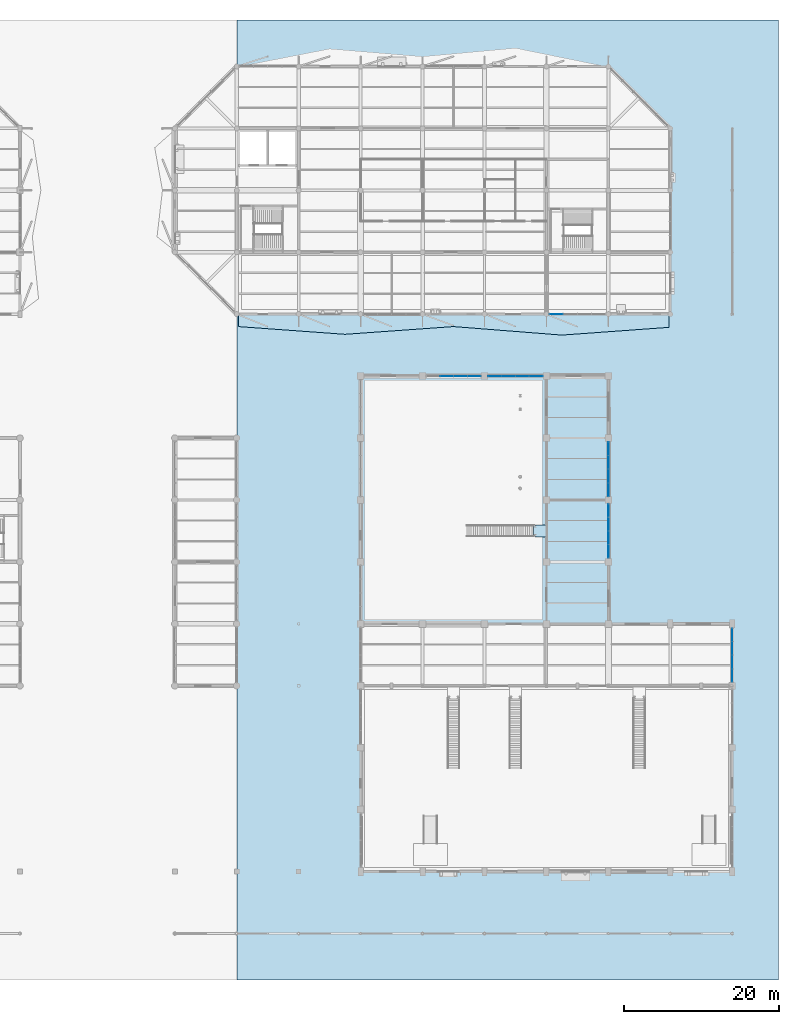
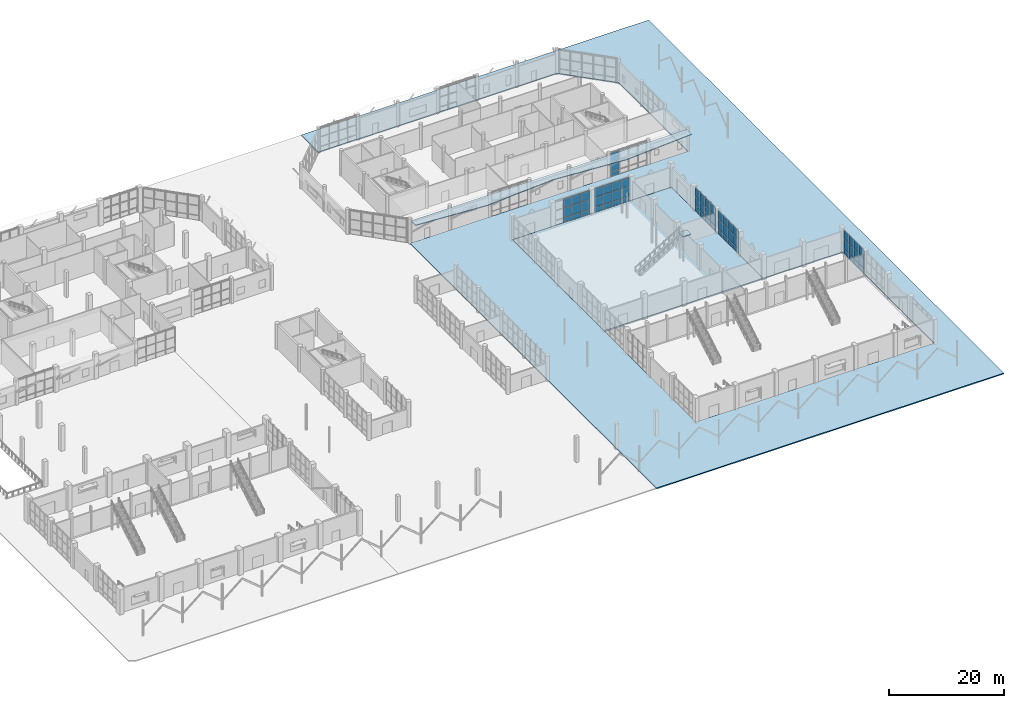
# One storey, part 91 of 123: 60 plates, 4 slabs, 7 elements without a shape of their own.
"""IFC4 building model written with IfcOpenShell, lengths in metres."""

from ifc_helpers import new_model, si_unit, direction, frame, origin, origin_2d, place, context, subcontext, project, spatial, polyline, rectangle, outline, extrude, material, layer, layer_set, type_object, element, aggregate, save


model = new_model("IFC4")

# Units and contexts
model_context = context("Model", 3, precision=1e-05, world=origin(), true_north=direction((0.0, 1.0)))
body_context = subcontext(model_context, "Body", "Model", "MODEL_VIEW")
ifc_project = project(units=[si_unit("LENGTHUNIT", "METRE"), si_unit("AREAUNIT", "SQUARE_METRE"), si_unit("VOLUMEUNIT", "CUBIC_METRE"), si_unit("PLANEANGLEUNIT", "RADIAN"), si_unit("MASSUNIT", "GRAM", prefix="KILO")], contexts=[model_context])

# Site, building, storey
site_placement = place(None, origin())
site = spatial("IfcSite", under=ifc_project, at=site_placement, CompositionType="ELEMENT")
building_placement = place(site_placement, origin())
building = spatial("IfcBuilding", under=site, at=building_placement, Name="Tenunan Teduh Sports Hall", CompositionType="ELEMENT")
storey_placement = place(building_placement, origin())
storey = spatial("IfcBuildingStorey", under=building, at=storey_placement, Name="L00", CompositionType="ELEMENT", Elevation=0.0)

# Curtain wall, plates
ifc_material_1 = material(Name="Anodised aluminium", Category="aluminium")
curtain_wall_type = type_object("IfcCurtainWallType", Name="CW-UNIT-1", PredefinedType="NOTDEFINED", material=ifc_material_1)
curtain_wall_1_placement = place(storey_placement, origin())
curtain_wall_1 = element("IfcCurtainWall", 1, at=curtain_wall_1_placement, inside=storey, type_object=curtain_wall_type, Name="CW-CWM-175-L00-006", PredefinedType="NOTDEFINED")
ifc_material_2 = material(Name="Low-E laminated double glazing", Category="glass")
ifc_layer_1 = layer(ifc_material_2, 0.028076171875)
ifc_layer_set_1 = layer_set([ifc_layer_1], Name="Low-E laminated double glazing")
plate_type_1 = type_object("IfcPlateType", Name="CWP-GLZ-28", PredefinedType="CURTAIN_PANEL", material=ifc_layer_set_1)
plate_1_placement = place(storey_placement, frame((170.0, 39.34130859375, 1.13232421875), z_axis=(0.0, 0.0, 1.0), x_axis=(0.0, 1.0, 0.0)))
plate_1 = element("IfcPlate", 2, at=plate_1_placement, type_object=plate_type_1, Name="CW-01 panel 1.2", PredefinedType="CURTAIN_PANEL", context=body_context, shape_type="SweptSolid", body=[
    extrude(rectangle(XDim=1.652587890625, YDim=0.028076171875, at=origin_2d()), origin(), (0.0, 0.0, 1.0), 2.034912109375),
])
plate_2_placement = place(storey_placement, frame((170.0, 39.34130859375, 3.232421875), z_axis=(0.0, 0.0, 1.0), x_axis=(0.0, 1.0, 0.0)))
plate_2 = element("IfcPlate", 3, at=plate_2_placement, type_object=plate_type_1, Name="CW-01 panel 1.3", PredefinedType="CURTAIN_PANEL", context=body_context, shape_type="SweptSolid", body=[
    extrude(rectangle(XDim=1.652587890625, YDim=0.028076171875, at=origin_2d()), origin(), (0.0, 0.0, 1.0), 1.822509765625),
])
plate_3_placement = place(storey_placement, frame((170.0, 41.074951171875, 1.13232421875), z_axis=(0.0, 0.0, 1.0), x_axis=(0.0, 1.0, 0.0)))
plate_3 = element("IfcPlate", 4, at=plate_3_placement, type_object=plate_type_1, Name="CW-01 panel 2.2", PredefinedType="CURTAIN_PANEL", context=body_context, shape_type="SweptSolid", body=[
    extrude(rectangle(XDim=1.68505859375, YDim=0.028076171875, at=origin_2d()), origin(), (0.0, 0.0, 1.0), 2.034912109375),
])
plate_4_placement = place(storey_placement, frame((170.0, 41.074951171875, 3.232421875), z_axis=(0.0, 0.0, 1.0), x_axis=(0.0, 1.0, 0.0)))
plate_4 = element("IfcPlate", 5, at=plate_4_placement, type_object=plate_type_1, Name="CW-01 panel 2.3", PredefinedType="CURTAIN_PANEL", context=body_context, shape_type="SweptSolid", body=[
    extrude(rectangle(XDim=1.68505859375, YDim=0.028076171875, at=origin_2d()), origin(), (0.0, 0.0, 1.0), 1.822509765625),
])
plate_5_placement = place(storey_placement, frame((170.0, 42.824951171875, 1.13232421875), z_axis=(0.0, 0.0, 1.0), x_axis=(0.0, 1.0, 0.0)))
plate_5 = element("IfcPlate", 6, at=plate_5_placement, type_object=plate_type_1, Name="CW-01 panel 3.2", PredefinedType="CURTAIN_PANEL", context=body_context, shape_type="SweptSolid", body=[
    extrude(rectangle(XDim=1.68505859375, YDim=0.028076171875, at=origin_2d()), origin(), (0.0, 0.0, 1.0), 2.034912109375),
])
plate_6_placement = place(storey_placement, frame((170.0, 42.824951171875, 3.232421875), z_axis=(0.0, 0.0, 1.0), x_axis=(0.0, 1.0, 0.0)))
plate_6 = element("IfcPlate", 7, at=plate_6_placement, type_object=plate_type_1, Name="CW-01 panel 3.3", PredefinedType="CURTAIN_PANEL", context=body_context, shape_type="SweptSolid", body=[
    extrude(rectangle(XDim=1.68505859375, YDim=0.028076171875, at=origin_2d()), origin(), (0.0, 0.0, 1.0), 1.822509765625),
])
plate_7_placement = place(storey_placement, frame((170.0, 44.558837890625, 1.13232421875), z_axis=(0.0, 0.0, 1.0), x_axis=(0.0, 1.0, 0.0)))
plate_7 = element("IfcPlate", 8, at=plate_7_placement, type_object=plate_type_1, Name="CW-01 panel 4.2", PredefinedType="CURTAIN_PANEL", context=body_context, shape_type="SweptSolid", body=[
    extrude(rectangle(XDim=1.652587890625, YDim=0.028076171875, at=origin_2d()), origin(), (0.0, 0.0, 1.0), 2.034912109375),
])
plate_8_placement = place(storey_placement, frame((170.0, 44.558837890625, 3.232421875), z_axis=(0.0, 0.0, 1.0), x_axis=(0.0, 1.0, 0.0)))
plate_8 = element("IfcPlate", 9, at=plate_8_placement, type_object=plate_type_1, Name="CW-01 panel 4.3", PredefinedType="CURTAIN_PANEL", context=body_context, shape_type="SweptSolid", body=[
    extrude(rectangle(XDim=1.652587890625, YDim=0.028076171875, at=origin_2d()), origin(), (0.0, 0.0, 1.0), 1.822509765625),
])

curtain_wall_2_placement = place(storey_placement, origin())
curtain_wall_2 = element("IfcCurtainWall", 10, at=curtain_wall_2_placement, inside=storey, type_object=curtain_wall_type, Name="CW-CWM-175-L00-110", PredefinedType="NOTDEFINED")
plate_9_placement = place(storey_placement, frame((133.112548828125, 78.0, 1.13232421875), z_axis=(0.0, 0.0, 1.0), x_axis=(1.0, 0.0, 0.0)))
plate_9 = element("IfcPlate", 11, at=plate_9_placement, type_object=plate_type_1, Name="CW-01 panel 2.2", PredefinedType="CURTAIN_PANEL", context=body_context, shape_type="SweptSolid", body=[
    extrude(rectangle(XDim=1.7099609375, YDim=0.028076171875, at=origin_2d()), origin(), (0.0, 0.0, 1.0), 2.034912109375),
])
plate_10_placement = place(storey_placement, frame((133.112548828125, 78.0, 3.232421875), z_axis=(0.0, 0.0, 1.0), x_axis=(1.0, 0.0, 0.0)))
plate_10 = element("IfcPlate", 12, at=plate_10_placement, type_object=plate_type_1, Name="CW-01 panel 2.3", PredefinedType="CURTAIN_PANEL", context=body_context, shape_type="SweptSolid", body=[
    extrude(rectangle(XDim=1.7099609375, YDim=0.028076171875, at=origin_2d()), origin(), (0.0, 0.0, 1.0), 1.822509765625),
])
plate_11_placement = place(storey_placement, frame((134.887451171875, 78.0, 1.13232421875), z_axis=(0.0, 0.0, 1.0), x_axis=(1.0, 0.0, 0.0)))
plate_11 = element("IfcPlate", 13, at=plate_11_placement, type_object=plate_type_1, Name="CW-01 panel 3.2", PredefinedType="CURTAIN_PANEL", context=body_context, shape_type="SweptSolid", body=[
    extrude(rectangle(XDim=1.7099609375, YDim=0.028076171875, at=origin_2d()), origin(), (0.0, 0.0, 1.0), 2.034912109375),
])
plate_12_placement = place(storey_placement, frame((134.887451171875, 78.0, 3.232421875), z_axis=(0.0, 0.0, 1.0), x_axis=(1.0, 0.0, 0.0)))
plate_12 = element("IfcPlate", 14, at=plate_12_placement, type_object=plate_type_1, Name="CW-01 panel 3.3", PredefinedType="CURTAIN_PANEL", context=body_context, shape_type="SweptSolid", body=[
    extrude(rectangle(XDim=1.7099609375, YDim=0.028076171875, at=origin_2d()), origin(), (0.0, 0.0, 1.0), 1.822509765625),
])
plate_13_placement = place(storey_placement, frame((136.646240234375, 78.0, 1.13232421875), z_axis=(0.0, 0.0, 1.0), x_axis=(1.0, 0.0, 0.0)))
plate_13 = element("IfcPlate", 15, at=plate_13_placement, type_object=plate_type_1, Name="CW-01 panel 4.2", PredefinedType="CURTAIN_PANEL", context=body_context, shape_type="SweptSolid", body=[
    extrude(rectangle(XDim=1.677490234375, YDim=0.028076171875, at=origin_2d()), origin(), (0.0, 0.0, 1.0), 2.034912109375),
])
plate_14_placement = place(storey_placement, frame((136.646240234375, 78.0, 3.232421875), z_axis=(0.0, 0.0, 1.0), x_axis=(1.0, 0.0, 0.0)))
plate_14 = element("IfcPlate", 16, at=plate_14_placement, type_object=plate_type_1, Name="CW-01 panel 4.3", PredefinedType="CURTAIN_PANEL", context=body_context, shape_type="SweptSolid", body=[
    extrude(rectangle(XDim=1.677490234375, YDim=0.028076171875, at=origin_2d()), origin(), (0.0, 0.0, 1.0), 1.822509765625),
])

curtain_wall_3_placement = place(storey_placement, origin())
curtain_wall_3 = element("IfcCurtainWall", 17, at=curtain_wall_3_placement, inside=storey, type_object=curtain_wall_type, Name="CW-CWM-200-L00-236", PredefinedType="NOTDEFINED")
plate_15_placement = place(storey_placement, frame((147.26123046875, 86.0, 1.134765625), z_axis=(0.0, 0.0, 1.0), x_axis=(1.0, 0.0, 0.0)))
plate_15 = element("IfcPlate", 18, at=plate_15_placement, type_object=plate_type_1, Name="CW-01 panel 1.2", PredefinedType="CURTAIN_PANEL", context=body_context, shape_type="SweptSolid", body=[
    extrude(rectangle(XDim=1.732421875, YDim=0.028076171875, at=origin_2d()), origin(), (0.0, 0.0, 1.0), 2.030029296875),
])
plate_16_placement = place(storey_placement, frame((147.26123046875, 86.0, 3.235107421875), z_axis=(0.0, 0.0, 1.0), x_axis=(1.0, 0.0, 0.0)))
plate_16 = element("IfcPlate", 19, at=plate_16_placement, type_object=plate_type_1, Name="CW-01 panel 1.3", PredefinedType="CURTAIN_PANEL", context=body_context, shape_type="SweptSolid", body=[
    extrude(rectangle(XDim=1.732421875, YDim=0.028076171875, at=origin_2d()), origin(), (0.0, 0.0, 1.0), 1.81494140625),
])

curtain_wall_4_placement = place(storey_placement, origin())
curtain_wall_4 = element("IfcCurtainWall", 20, at=curtain_wall_4_placement, inside=storey, type_object=curtain_wall_type, Name="CW-CWM-150-L00-111", PredefinedType="NOTDEFINED")
ifc_material_3 = material(Name="Solar-control laminated glazing", Category="glass")
ifc_layer_2 = layer(ifc_material_3, 0.031982421875)
ifc_layer_set_2 = layer_set([ifc_layer_2], Name="Solar-control laminated glazing")
plate_type_2 = type_object("IfcPlateType", Name="CWP-GLZ-32", PredefinedType="CURTAIN_PANEL", material=ifc_layer_set_2)
plate_17_placement = place(storey_placement, frame((139.3525390625, 78.0, 1.1298828125), z_axis=(0.0, 0.0, 1.0), x_axis=(1.0, 0.0, 0.0)))
plate_17 = element("IfcPlate", 21, at=plate_17_placement, type_object=plate_type_2, Name="CW-01 panel 1.2", PredefinedType="CURTAIN_PANEL", context=body_context, shape_type="SweptSolid", body=[
    extrude(rectangle(XDim=1.68505859375, YDim=0.031982421875, at=origin_2d()), origin(), (0.0, 0.0, 1.0), 2.0400390625),
])
plate_18_placement = place(storey_placement, frame((139.3525390625, 78.0, 3.22998046875), z_axis=(0.0, 0.0, 1.0), x_axis=(1.0, 0.0, 0.0)))
plate_18 = element("IfcPlate", 22, at=plate_18_placement, type_object=plate_type_2, Name="CW-01 panel 1.3", PredefinedType="CURTAIN_PANEL", context=body_context, shape_type="SweptSolid", body=[
    extrude(rectangle(XDim=1.68505859375, YDim=0.031982421875, at=origin_2d()), origin(), (0.0, 0.0, 1.0), 1.830078125),
])
plate_19_placement = place(storey_placement, frame((141.112548828125, 78.0, 1.1298828125), z_axis=(0.0, 0.0, 1.0), x_axis=(1.0, 0.0, 0.0)))
plate_19 = element("IfcPlate", 23, at=plate_19_placement, type_object=plate_type_2, Name="CW-01 panel 2.2", PredefinedType="CURTAIN_PANEL", context=body_context, shape_type="SweptSolid", body=[
    extrude(rectangle(XDim=1.715087890625, YDim=0.031982421875, at=origin_2d()), origin(), (0.0, 0.0, 1.0), 2.0400390625),
])
plate_20_placement = place(storey_placement, frame((141.112548828125, 78.0, 3.22998046875), z_axis=(0.0, 0.0, 1.0), x_axis=(1.0, 0.0, 0.0)))
plate_20 = element("IfcPlate", 24, at=plate_20_placement, type_object=plate_type_2, Name="CW-01 panel 2.3", PredefinedType="CURTAIN_PANEL", context=body_context, shape_type="SweptSolid", body=[
    extrude(rectangle(XDim=1.715087890625, YDim=0.031982421875, at=origin_2d()), origin(), (0.0, 0.0, 1.0), 1.830078125),
])
plate_21_placement = place(storey_placement, frame((142.887451171875, 78.0, 1.1298828125), z_axis=(0.0, 0.0, 1.0), x_axis=(1.0, 0.0, 0.0)))
plate_21 = element("IfcPlate", 25, at=plate_21_placement, type_object=plate_type_2, Name="CW-01 panel 3.2", PredefinedType="CURTAIN_PANEL", context=body_context, shape_type="SweptSolid", body=[
    extrude(rectangle(XDim=1.715087890625, YDim=0.031982421875, at=origin_2d()), origin(), (0.0, 0.0, 1.0), 2.0400390625),
])
plate_22_placement = place(storey_placement, frame((142.887451171875, 78.0, 3.22998046875), z_axis=(0.0, 0.0, 1.0), x_axis=(1.0, 0.0, 0.0)))
plate_22 = element("IfcPlate", 26, at=plate_22_placement, type_object=plate_type_2, Name="CW-01 panel 3.3", PredefinedType="CURTAIN_PANEL", context=body_context, shape_type="SweptSolid", body=[
    extrude(rectangle(XDim=1.715087890625, YDim=0.031982421875, at=origin_2d()), origin(), (0.0, 0.0, 1.0), 1.830078125),
])
plate_23_placement = place(storey_placement, frame((144.6474609375, 78.0, 1.1298828125), z_axis=(0.0, 0.0, 1.0), x_axis=(1.0, 0.0, 0.0)))
plate_23 = element("IfcPlate", 27, at=plate_23_placement, type_object=plate_type_2, Name="CW-01 panel 4.2", PredefinedType="CURTAIN_PANEL", context=body_context, shape_type="SweptSolid", body=[
    extrude(rectangle(XDim=1.68505859375, YDim=0.031982421875, at=origin_2d()), origin(), (0.0, 0.0, 1.0), 2.0400390625),
])
plate_24_placement = place(storey_placement, frame((144.6474609375, 78.0, 3.22998046875), z_axis=(0.0, 0.0, 1.0), x_axis=(1.0, 0.0, 0.0)))
plate_24 = element("IfcPlate", 28, at=plate_24_placement, type_object=plate_type_2, Name="CW-01 panel 4.3", PredefinedType="CURTAIN_PANEL", context=body_context, shape_type="SweptSolid", body=[
    extrude(rectangle(XDim=1.68505859375, YDim=0.031982421875, at=origin_2d()), origin(), (0.0, 0.0, 1.0), 1.830078125),
])

curtain_wall_5_placement = place(storey_placement, origin())
curtain_wall_5 = element("IfcCurtainWall", 29, at=curtain_wall_5_placement, inside=storey, type_object=curtain_wall_type, Name="CW-CWM-220-L00-113", PredefinedType="NOTDEFINED")
plate_25_placement = place(storey_placement, frame((154.0, 55.356201171875, 1.137451171875), z_axis=(0.0, 0.0, 1.0), x_axis=(0.0, 1.0, 0.0)))
plate_25 = element("IfcPlate", 30, at=plate_25_placement, type_object=plate_type_2, Name="CW-01 panel 1.2", PredefinedType="CURTAIN_PANEL", context=body_context, shape_type="SweptSolid", body=[
    extrude(rectangle(XDim=1.66259765625, YDim=0.031982421875, at=origin_2d()), origin(), (0.0, 0.0, 1.0), 2.02490234375),
])
plate_26_placement = place(storey_placement, frame((154.0, 55.356201171875, 3.237548828125), z_axis=(0.0, 0.0, 1.0), x_axis=(0.0, 1.0, 0.0)))
plate_26 = element("IfcPlate", 31, at=plate_26_placement, type_object=plate_type_2, Name="CW-01 panel 1.3", PredefinedType="CURTAIN_PANEL", context=body_context, shape_type="SweptSolid", body=[
    extrude(rectangle(XDim=1.66259765625, YDim=0.031982421875, at=origin_2d()), origin(), (0.0, 0.0, 1.0), 1.8076171875),
])
plate_27_placement = place(storey_placement, frame((154.0, 57.112548828125, 1.137451171875), z_axis=(0.0, 0.0, 1.0), x_axis=(0.0, 1.0, 0.0)))
plate_27 = element("IfcPlate", 32, at=plate_27_placement, type_object=plate_type_2, Name="CW-01 panel 2.2", PredefinedType="CURTAIN_PANEL", context=body_context, shape_type="SweptSolid", body=[
    extrude(rectangle(XDim=1.699951171875, YDim=0.031982421875, at=origin_2d()), origin(), (0.0, 0.0, 1.0), 2.02490234375),
])
plate_28_placement = place(storey_placement, frame((154.0, 57.112548828125, 3.237548828125), z_axis=(0.0, 0.0, 1.0), x_axis=(0.0, 1.0, 0.0)))
plate_28 = element("IfcPlate", 33, at=plate_28_placement, type_object=plate_type_2, Name="CW-01 panel 2.3", PredefinedType="CURTAIN_PANEL", context=body_context, shape_type="SweptSolid", body=[
    extrude(rectangle(XDim=1.699951171875, YDim=0.031982421875, at=origin_2d()), origin(), (0.0, 0.0, 1.0), 1.8076171875),
])
plate_29_placement = place(storey_placement, frame((154.0, 58.887451171875, 1.137451171875), z_axis=(0.0, 0.0, 1.0), x_axis=(0.0, 1.0, 0.0)))
plate_29 = element("IfcPlate", 34, at=plate_29_placement, type_object=plate_type_2, Name="CW-01 panel 3.2", PredefinedType="CURTAIN_PANEL", context=body_context, shape_type="SweptSolid", body=[
    extrude(rectangle(XDim=1.699951171875, YDim=0.031982421875, at=origin_2d()), origin(), (0.0, 0.0, 1.0), 2.02490234375),
])
plate_30_placement = place(storey_placement, frame((154.0, 58.887451171875, 3.237548828125), z_axis=(0.0, 0.0, 1.0), x_axis=(0.0, 1.0, 0.0)))
plate_30 = element("IfcPlate", 35, at=plate_30_placement, type_object=plate_type_2, Name="CW-01 panel 3.3", PredefinedType="CURTAIN_PANEL", context=body_context, shape_type="SweptSolid", body=[
    extrude(rectangle(XDim=1.699951171875, YDim=0.031982421875, at=origin_2d()), origin(), (0.0, 0.0, 1.0), 1.8076171875),
])
plate_31_placement = place(storey_placement, frame((154.0, 60.643798828125, 1.137451171875), z_axis=(0.0, 0.0, 1.0), x_axis=(0.0, 1.0, 0.0)))
plate_31 = element("IfcPlate", 36, at=plate_31_placement, type_object=plate_type_2, Name="CW-01 panel 4.2", PredefinedType="CURTAIN_PANEL", context=body_context, shape_type="SweptSolid", body=[
    extrude(rectangle(XDim=1.66259765625, YDim=0.031982421875, at=origin_2d()), origin(), (0.0, 0.0, 1.0), 2.02490234375),
])
plate_32_placement = place(storey_placement, frame((154.0, 60.643798828125, 3.237548828125), z_axis=(0.0, 0.0, 1.0), x_axis=(0.0, 1.0, 0.0)))
plate_32 = element("IfcPlate", 37, at=plate_32_placement, type_object=plate_type_2, Name="CW-01 panel 4.3", PredefinedType="CURTAIN_PANEL", context=body_context, shape_type="SweptSolid", body=[
    extrude(rectangle(XDim=1.66259765625, YDim=0.031982421875, at=origin_2d()), origin(), (0.0, 0.0, 1.0), 1.8076171875),
])

curtain_wall_6_placement = place(storey_placement, origin())
curtain_wall_6 = element("IfcCurtainWall", 38, at=curtain_wall_6_placement, inside=storey, type_object=curtain_wall_type, Name="CW-CWM-150-L00-115", PredefinedType="NOTDEFINED")
plate_33_placement = place(storey_placement, frame((154.0, 63.3525390625, 1.1298828125), z_axis=(0.0, 0.0, 1.0), x_axis=(0.0, 1.0, 0.0)))
plate_33 = element("IfcPlate", 39, at=plate_33_placement, type_object=plate_type_2, Name="CW-01 panel 1.2", PredefinedType="CURTAIN_PANEL", context=body_context, shape_type="SweptSolid", body=[
    extrude(rectangle(XDim=1.68505859375, YDim=0.031982421875, at=origin_2d()), origin(), (0.0, 0.0, 1.0), 2.0400390625),
])
plate_34_placement = place(storey_placement, frame((154.0, 63.3525390625, 3.22998046875), z_axis=(0.0, 0.0, 1.0), x_axis=(0.0, 1.0, 0.0)))
plate_34 = element("IfcPlate", 40, at=plate_34_placement, type_object=plate_type_2, Name="CW-01 panel 1.3", PredefinedType="CURTAIN_PANEL", context=body_context, shape_type="SweptSolid", body=[
    extrude(rectangle(XDim=1.68505859375, YDim=0.031982421875, at=origin_2d()), origin(), (0.0, 0.0, 1.0), 1.830078125),
])
plate_35_placement = place(storey_placement, frame((154.0, 65.112548828125, 1.1298828125), z_axis=(0.0, 0.0, 1.0), x_axis=(0.0, 1.0, 0.0)))
plate_35 = element("IfcPlate", 41, at=plate_35_placement, type_object=plate_type_2, Name="CW-01 panel 2.2", PredefinedType="CURTAIN_PANEL", context=body_context, shape_type="SweptSolid", body=[
    extrude(rectangle(XDim=1.715087890625, YDim=0.031982421875, at=origin_2d()), origin(), (0.0, 0.0, 1.0), 2.0400390625),
])
plate_36_placement = place(storey_placement, frame((154.0, 65.112548828125, 3.22998046875), z_axis=(0.0, 0.0, 1.0), x_axis=(0.0, 1.0, 0.0)))
plate_36 = element("IfcPlate", 42, at=plate_36_placement, type_object=plate_type_2, Name="CW-01 panel 2.3", PredefinedType="CURTAIN_PANEL", context=body_context, shape_type="SweptSolid", body=[
    extrude(rectangle(XDim=1.715087890625, YDim=0.031982421875, at=origin_2d()), origin(), (0.0, 0.0, 1.0), 1.830078125),
])
plate_37_placement = place(storey_placement, frame((154.0, 66.887451171875, 1.1298828125), z_axis=(0.0, 0.0, 1.0), x_axis=(0.0, 1.0, 0.0)))
plate_37 = element("IfcPlate", 43, at=plate_37_placement, type_object=plate_type_2, Name="CW-01 panel 3.2", PredefinedType="CURTAIN_PANEL", context=body_context, shape_type="SweptSolid", body=[
    extrude(rectangle(XDim=1.715087890625, YDim=0.031982421875, at=origin_2d()), origin(), (0.0, 0.0, 1.0), 2.0400390625),
])
plate_38_placement = place(storey_placement, frame((154.0, 66.887451171875, 3.22998046875), z_axis=(0.0, 0.0, 1.0), x_axis=(0.0, 1.0, 0.0)))
plate_38 = element("IfcPlate", 44, at=plate_38_placement, type_object=plate_type_2, Name="CW-01 panel 3.3", PredefinedType="CURTAIN_PANEL", context=body_context, shape_type="SweptSolid", body=[
    extrude(rectangle(XDim=1.715087890625, YDim=0.031982421875, at=origin_2d()), origin(), (0.0, 0.0, 1.0), 1.830078125),
])
plate_39_placement = place(storey_placement, frame((154.0, 68.6474609375, 1.1298828125), z_axis=(0.0, 0.0, 1.0), x_axis=(0.0, 1.0, 0.0)))
plate_39 = element("IfcPlate", 45, at=plate_39_placement, type_object=plate_type_2, Name="CW-01 panel 4.2", PredefinedType="CURTAIN_PANEL", context=body_context, shape_type="SweptSolid", body=[
    extrude(rectangle(XDim=1.68505859375, YDim=0.031982421875, at=origin_2d()), origin(), (0.0, 0.0, 1.0), 2.0400390625),
])
plate_40_placement = place(storey_placement, frame((154.0, 68.6474609375, 3.22998046875), z_axis=(0.0, 0.0, 1.0), x_axis=(0.0, 1.0, 0.0)))
plate_40 = element("IfcPlate", 46, at=plate_40_placement, type_object=plate_type_2, Name="CW-01 panel 4.3", PredefinedType="CURTAIN_PANEL", context=body_context, shape_type="SweptSolid", body=[
    extrude(rectangle(XDim=1.68505859375, YDim=0.031982421875, at=origin_2d()), origin(), (0.0, 0.0, 1.0), 1.830078125),
])

# Plate
ifc_material_4 = material(Name="Insulated aluminium spandrel panel", Category="aluminium")
ifc_layer_3 = layer(ifc_material_4, 0.044921875)
ifc_layer_set_3 = layer_set([ifc_layer_3], Name="Insulated aluminium spandrel panel")
plate_type_3 = type_object("IfcPlateType", Name="CWP-SPN-45", PredefinedType="CURTAIN_PANEL", material=ifc_layer_set_3)
plate_41_placement = place(storey_placement, frame((170.0, 39.34130859375, 0.06494140625), z_axis=(0.0, 0.0, 1.0), x_axis=(0.0, 1.0, 0.0)))
plate_41 = element("IfcPlate", 47, at=plate_41_placement, type_object=plate_type_3, Name="CW-01 panel 1.1", PredefinedType="CURTAIN_PANEL", context=body_context, shape_type="SweptSolid", body=[
    extrude(rectangle(XDim=1.652587890625, YDim=0.028076171875, at=origin_2d()), origin(), (0.0, 0.0, 1.0), 1.00244140625),
])

plate_42_placement = place(storey_placement, frame((170.0, 41.074951171875, 0.06494140625), z_axis=(0.0, 0.0, 1.0), x_axis=(0.0, 1.0, 0.0)))
plate_42 = element("IfcPlate", 48, at=plate_42_placement, type_object=plate_type_3, Name="CW-01 panel 2.1", PredefinedType="CURTAIN_PANEL", context=body_context, shape_type="SweptSolid", body=[
    extrude(rectangle(XDim=1.68505859375, YDim=0.028076171875, at=origin_2d()), origin(), (0.0, 0.0, 1.0), 1.00244140625),
])

plate_43_placement = place(storey_placement, frame((170.0, 42.824951171875, 0.06494140625), z_axis=(0.0, 0.0, 1.0), x_axis=(0.0, 1.0, 0.0)))
plate_43 = element("IfcPlate", 49, at=plate_43_placement, type_object=plate_type_3, Name="CW-01 panel 3.1", PredefinedType="CURTAIN_PANEL", context=body_context, shape_type="SweptSolid", body=[
    extrude(rectangle(XDim=1.68505859375, YDim=0.028076171875, at=origin_2d()), origin(), (0.0, 0.0, 1.0), 1.00244140625),
])

plate_44_placement = place(storey_placement, frame((170.0, 44.558837890625, 0.06494140625), z_axis=(0.0, 0.0, 1.0), x_axis=(0.0, 1.0, 0.0)))
plate_44 = element("IfcPlate", 50, at=plate_44_placement, type_object=plate_type_3, Name="CW-01 panel 4.1", PredefinedType="CURTAIN_PANEL", context=body_context, shape_type="SweptSolid", body=[
    extrude(rectangle(XDim=1.652587890625, YDim=0.028076171875, at=origin_2d()), origin(), (0.0, 0.0, 1.0), 1.00244140625),
])

aggregate(curtain_wall_1, [plate_41, plate_1, plate_2, plate_42, plate_3, plate_4, plate_43, plate_5, plate_6, plate_44, plate_7, plate_8])

plate_45_placement = place(storey_placement, frame((133.112548828125, 78.0, 0.06494140625), z_axis=(0.0, 0.0, 1.0), x_axis=(1.0, 0.0, 0.0)))
plate_45 = element("IfcPlate", 51, at=plate_45_placement, type_object=plate_type_3, Name="CW-01 panel 2.1", PredefinedType="CURTAIN_PANEL", context=body_context, shape_type="SweptSolid", body=[
    extrude(rectangle(XDim=1.7099609375, YDim=0.028076171875, at=origin_2d()), origin(), (0.0, 0.0, 1.0), 1.00244140625),
])

plate_46_placement = place(storey_placement, frame((134.887451171875, 78.0, 0.06494140625), z_axis=(0.0, 0.0, 1.0), x_axis=(1.0, 0.0, 0.0)))
plate_46 = element("IfcPlate", 52, at=plate_46_placement, type_object=plate_type_3, Name="CW-01 panel 3.1", PredefinedType="CURTAIN_PANEL", context=body_context, shape_type="SweptSolid", body=[
    extrude(rectangle(XDim=1.7099609375, YDim=0.028076171875, at=origin_2d()), origin(), (0.0, 0.0, 1.0), 1.00244140625),
])

plate_47_placement = place(storey_placement, frame((136.646240234375, 78.0, 0.06494140625), z_axis=(0.0, 0.0, 1.0), x_axis=(1.0, 0.0, 0.0)))
plate_47 = element("IfcPlate", 53, at=plate_47_placement, type_object=plate_type_3, Name="CW-01 panel 4.1", PredefinedType="CURTAIN_PANEL", context=body_context, shape_type="SweptSolid", body=[
    extrude(rectangle(XDim=1.677490234375, YDim=0.028076171875, at=origin_2d()), origin(), (0.0, 0.0, 1.0), 1.00244140625),
])

aggregate(curtain_wall_2, [plate_45, plate_9, plate_10, plate_46, plate_11, plate_12, plate_47, plate_13, plate_14])

plate_48_placement = place(storey_placement, frame((139.3525390625, 78.0, 0.06005859375), z_axis=(0.0, 0.0, 1.0), x_axis=(1.0, 0.0, 0.0)))
plate_48 = element("IfcPlate", 54, at=plate_48_placement, type_object=plate_type_3, Name="CW-01 panel 1.1", PredefinedType="CURTAIN_PANEL", context=body_context, shape_type="SweptSolid", body=[
    extrude(rectangle(XDim=1.68505859375, YDim=0.031982421875, at=origin_2d()), origin(), (0.0, 0.0, 1.0), 1.010009765625),
])

plate_49_placement = place(storey_placement, frame((141.112548828125, 78.0, 0.06005859375), z_axis=(0.0, 0.0, 1.0), x_axis=(1.0, 0.0, 0.0)))
plate_49 = element("IfcPlate", 55, at=plate_49_placement, type_object=plate_type_3, Name="CW-01 panel 2.1", PredefinedType="CURTAIN_PANEL", context=body_context, shape_type="SweptSolid", body=[
    extrude(rectangle(XDim=1.715087890625, YDim=0.031982421875, at=origin_2d()), origin(), (0.0, 0.0, 1.0), 1.010009765625),
])

plate_50_placement = place(storey_placement, frame((142.887451171875, 78.0, 0.06005859375), z_axis=(0.0, 0.0, 1.0), x_axis=(1.0, 0.0, 0.0)))
plate_50 = element("IfcPlate", 56, at=plate_50_placement, type_object=plate_type_3, Name="CW-01 panel 3.1", PredefinedType="CURTAIN_PANEL", context=body_context, shape_type="SweptSolid", body=[
    extrude(rectangle(XDim=1.715087890625, YDim=0.031982421875, at=origin_2d()), origin(), (0.0, 0.0, 1.0), 1.010009765625),
])

plate_51_placement = place(storey_placement, frame((144.6474609375, 78.0, 0.06005859375), z_axis=(0.0, 0.0, 1.0), x_axis=(1.0, 0.0, 0.0)))
plate_51 = element("IfcPlate", 57, at=plate_51_placement, type_object=plate_type_3, Name="CW-01 panel 4.1", PredefinedType="CURTAIN_PANEL", context=body_context, shape_type="SweptSolid", body=[
    extrude(rectangle(XDim=1.68505859375, YDim=0.031982421875, at=origin_2d()), origin(), (0.0, 0.0, 1.0), 1.010009765625),
])

aggregate(curtain_wall_4, [plate_48, plate_17, plate_18, plate_49, plate_19, plate_20, plate_50, plate_21, plate_22, plate_51, plate_23, plate_24])

plate_52_placement = place(storey_placement, frame((154.0, 55.356201171875, 0.0751953125), z_axis=(0.0, 0.0, 1.0), x_axis=(0.0, 1.0, 0.0)))
plate_52 = element("IfcPlate", 58, at=plate_52_placement, type_object=plate_type_3, Name="CW-01 panel 1.1", PredefinedType="CURTAIN_PANEL", context=body_context, shape_type="SweptSolid", body=[
    extrude(rectangle(XDim=1.66259765625, YDim=0.031982421875, at=origin_2d()), origin(), (0.0, 0.0, 1.0), 0.987548828125),
])

plate_53_placement = place(storey_placement, frame((154.0, 57.112548828125, 0.0751953125), z_axis=(0.0, 0.0, 1.0), x_axis=(0.0, 1.0, 0.0)))
plate_53 = element("IfcPlate", 59, at=plate_53_placement, type_object=plate_type_3, Name="CW-01 panel 2.1", PredefinedType="CURTAIN_PANEL", context=body_context, shape_type="SweptSolid", body=[
    extrude(rectangle(XDim=1.699951171875, YDim=0.031982421875, at=origin_2d()), origin(), (0.0, 0.0, 1.0), 0.987548828125),
])

plate_54_placement = place(storey_placement, frame((154.0, 58.887451171875, 0.0751953125), z_axis=(0.0, 0.0, 1.0), x_axis=(0.0, 1.0, 0.0)))
plate_54 = element("IfcPlate", 60, at=plate_54_placement, type_object=plate_type_3, Name="CW-01 panel 3.1", PredefinedType="CURTAIN_PANEL", context=body_context, shape_type="SweptSolid", body=[
    extrude(rectangle(XDim=1.699951171875, YDim=0.031982421875, at=origin_2d()), origin(), (0.0, 0.0, 1.0), 0.987548828125),
])

plate_55_placement = place(storey_placement, frame((154.0, 60.643798828125, 0.0751953125), z_axis=(0.0, 0.0, 1.0), x_axis=(0.0, 1.0, 0.0)))
plate_55 = element("IfcPlate", 61, at=plate_55_placement, type_object=plate_type_3, Name="CW-01 panel 4.1", PredefinedType="CURTAIN_PANEL", context=body_context, shape_type="SweptSolid", body=[
    extrude(rectangle(XDim=1.66259765625, YDim=0.031982421875, at=origin_2d()), origin(), (0.0, 0.0, 1.0), 0.987548828125),
])

aggregate(curtain_wall_5, [plate_52, plate_25, plate_26, plate_53, plate_27, plate_28, plate_54, plate_29, plate_30, plate_55, plate_31, plate_32])

plate_56_placement = place(storey_placement, frame((154.0, 63.3525390625, 0.06005859375), z_axis=(0.0, 0.0, 1.0), x_axis=(0.0, 1.0, 0.0)))
plate_56 = element("IfcPlate", 62, at=plate_56_placement, type_object=plate_type_3, Name="CW-01 panel 1.1", PredefinedType="CURTAIN_PANEL", context=body_context, shape_type="SweptSolid", body=[
    extrude(rectangle(XDim=1.68505859375, YDim=0.031982421875, at=origin_2d()), origin(), (0.0, 0.0, 1.0), 1.010009765625),
])

plate_57_placement = place(storey_placement, frame((154.0, 65.112548828125, 0.06005859375), z_axis=(0.0, 0.0, 1.0), x_axis=(0.0, 1.0, 0.0)))
plate_57 = element("IfcPlate", 63, at=plate_57_placement, type_object=plate_type_3, Name="CW-01 panel 2.1", PredefinedType="CURTAIN_PANEL", context=body_context, shape_type="SweptSolid", body=[
    extrude(rectangle(XDim=1.715087890625, YDim=0.031982421875, at=origin_2d()), origin(), (0.0, 0.0, 1.0), 1.010009765625),
])

plate_58_placement = place(storey_placement, frame((154.0, 66.887451171875, 0.06005859375), z_axis=(0.0, 0.0, 1.0), x_axis=(0.0, 1.0, 0.0)))
plate_58 = element("IfcPlate", 64, at=plate_58_placement, type_object=plate_type_3, Name="CW-01 panel 3.1", PredefinedType="CURTAIN_PANEL", context=body_context, shape_type="SweptSolid", body=[
    extrude(rectangle(XDim=1.715087890625, YDim=0.031982421875, at=origin_2d()), origin(), (0.0, 0.0, 1.0), 1.010009765625),
])

plate_59_placement = place(storey_placement, frame((154.0, 68.6474609375, 0.06005859375), z_axis=(0.0, 0.0, 1.0), x_axis=(0.0, 1.0, 0.0)))
plate_59 = element("IfcPlate", 65, at=plate_59_placement, type_object=plate_type_3, Name="CW-01 panel 4.1", PredefinedType="CURTAIN_PANEL", context=body_context, shape_type="SweptSolid", body=[
    extrude(rectangle(XDim=1.68505859375, YDim=0.031982421875, at=origin_2d()), origin(), (0.0, 0.0, 1.0), 1.010009765625),
])

aggregate(curtain_wall_6, [plate_56, plate_33, plate_34, plate_57, plate_35, plate_36, plate_58, plate_37, plate_38, plate_59, plate_39, plate_40])

plate_60_placement = place(storey_placement, frame((147.26123046875, 86.0, 0.06982421875), z_axis=(0.0, 0.0, 1.0), x_axis=(1.0, 0.0, 0.0)))
plate_60 = element("IfcPlate", 66, at=plate_60_placement, type_object=plate_type_3, Name="CW-01 panel 1.1", PredefinedType="CURTAIN_PANEL", context=body_context, shape_type="SweptSolid", body=[
    extrude(rectangle(XDim=1.732421875, YDim=0.028076171875, at=origin_2d()), origin(), (0.0, 0.0, 1.0), 0.9951171875),
])

aggregate(curtain_wall_3, [plate_60, plate_15, plate_16])

# Slab
ifc_material_5 = material(Name="Concrete C40/50", Category="concrete")
ifc_layer_4 = layer(ifc_material_5, 0.300048828125)
ifc_layer_set_4 = layer_set([ifc_layer_4], Name="Concrete C40/50")
slab_type_1 = type_object("IfcSlabType", Name="SLB-COURT-300", PredefinedType="FLOOR", material=ifc_layer_set_4)
slab_1_placement = place(storey_placement, frame((0.0, 0.0, -0.300048828125)))
element("IfcSlab", 67, at=slab_1_placement, inside=storey, type_object=slab_type_1, Name="SL-L00-V3", PredefinedType="FLOOR", context=body_context, shape_type="SweptSolid", body=[
    extrude(outline(polyline([(122.0, 46.0), (154.0, 46.0), (154.0, 78.0), (122.0, 78.0), (122.0, 46.0)])), origin(), (0.0, 0.0, 1.0), 0.300048828125),
])

# Stair, slab
ifc_material_6 = material(Name="Precast concrete C40/50", Category="concrete")
stair_type = type_object("IfcStairType", Name="STR-CLM-MEZ", PredefinedType="STRAIGHT_RUN_STAIR", material=ifc_material_6)
stair_placement = place(storey_placement, origin())
stair = element("IfcStair", 68, at=stair_placement, inside=storey, type_object=stair_type, Name="STR-VOM-CL1", PredefinedType="STRAIGHT_RUN_STAIR")
ifc_material_7 = material(Name="Precast concrete C40/50", Category="concrete")
ifc_layer_5 = layer(ifc_material_7, 0.179931640625)
ifc_layer_set_5 = layer_set([ifc_layer_5], Name="Precast concrete C40/50")
slab_type_2 = type_object("IfcSlabType", Name="SLB-LND-180", PredefinedType="LANDING", material=ifc_layer_set_5)
slab_2_placement = place(storey_placement, frame((0.0, 0.0, 5.219970703125)))
slab_2 = element("IfcSlab", 69, at=slab_2_placement, type_object=slab_type_2, Name="ST-29 landing 1", PredefinedType="LANDING", context=body_context, shape_type="SweptSolid", body=[
    extrude(outline(polyline([(144.320068359375, 57.25), (146.02001953125, 57.25), (146.02001953125, 58.75), (144.320068359375, 58.75), (144.320068359375, 57.25)])), origin(), (0.0, 0.0, 1.0), 0.179931640625),
])
aggregate(stair, [slab_2])

# Slabs
ifc_material_8 = material(Name="Concrete C40/50", Category="concrete")
ifc_layer_6 = layer(ifc_material_8, 0.219970703125)
ifc_layer_set_6 = layer_set([ifc_layer_6], Name="Concrete C40/50")
slab_type_3 = type_object("IfcSlabType", Name="SLB-PLZ-220", PredefinedType="BASESLAB", material=ifc_layer_set_6)
slab_3_placement = place(storey_placement, frame((0.0, 0.0, -0.219970703125)))
element("IfcSlab", 70, at=slab_3_placement, inside=storey, type_object=slab_type_3, Name="Island Block Landscaped Ground Plaza 3", PredefinedType="BASESLAB", context=body_context, shape_type="SweptSolid", body=[
    extrude(outline(polyline([(106.0, 124.0), (176.0, 124.0), (176.0, 0.0), (106.0, 0.0), (106.0, 37.989990234375), (106.010009765625, 37.989990234375), (106.010009765625, 70.010009765625), (106.0, 70.010009765625), (106.0, 85.989990234375), (162.010009765625, 85.989990234375), (162.010009765625, 110.00390625), (154.00390625, 118.010009765625), (106.0, 118.010009765625), (106.0, 124.0)]), holes=[polyline([(170.010009765625, 46.010009765625), (154.010009765625, 46.010009765625), (154.010009765625, 78.010009765625), (121.989990234375, 78.010009765625), (121.989990234375, 46.010009765625), (121.989990234375, 45.989990234375), (121.989990234375, 13.989990234375), (170.010009765625, 13.989990234375), (170.010009765625, 46.010009765625)])]), origin(), (0.0, 0.0, 1.0), 0.219970703125),
])
ifc_material_9 = material(Name="Concrete C40/50", Category="concrete")
ifc_layer_7 = layer(ifc_material_9, 0.159912109375)
ifc_layer_set_7 = layer_set([ifc_layer_7], Name="Concrete C40/50")
slab_type_4 = type_object("IfcSlabType", Name="SLB-ROOF-160", PredefinedType="ROOF", material=ifc_layer_set_7)
slab_4_placement = place(storey_placement, frame((0.0, 0.0, 4.590087890625)))
element("IfcSlab", 71, at=slab_4_placement, inside=storey, type_object=slab_type_4, Name="Window Head Sun-Shade Hood SHD-RIB-V5E-S-L00", PredefinedType="ROOF", context=body_context, shape_type="SweptSolid", body=[
    extrude(outline(polyline([(106.199951171875, 86.0), (161.800048828125, 86.0), (161.800048828125, 84.300048828125), (148.0, 83.300048828125), (134.0, 84.39990234375), (120.0, 83.39990234375), (106.199951171875, 84.39990234375), (106.199951171875, 86.0)])), origin(), (0.0, 0.0, 1.0), 0.159912109375),
])

save(model, "model.ifc")
